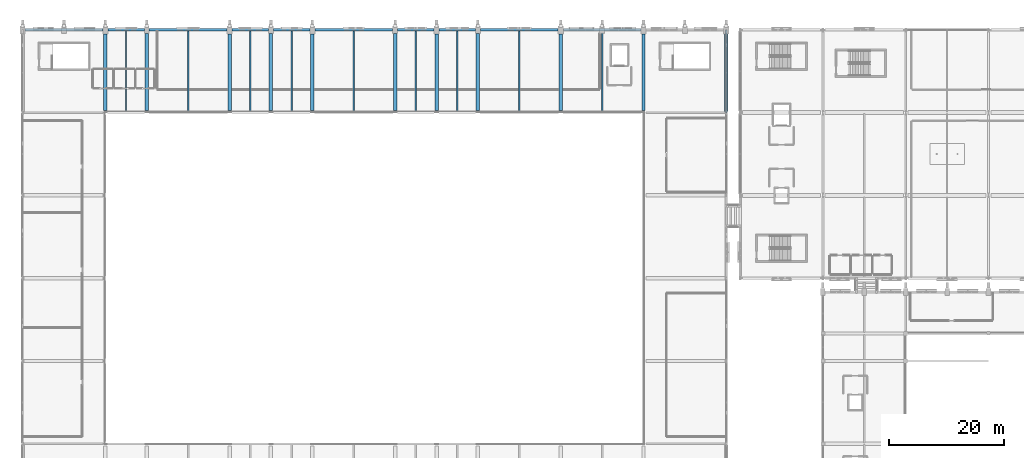
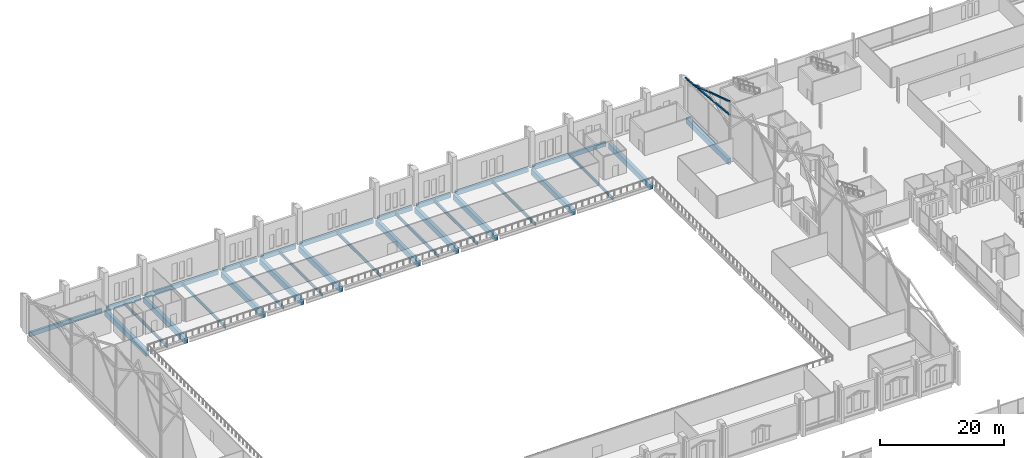
# One storey, part 119 of 220: 30 beams, 2 members.
"""IFC4 building model written with IfcOpenShell, lengths in metres."""

from ifc_helpers import new_model, si_unit, direction, frame, origin, origin_2d, place, context, subcontext, project, spatial, rectangle, hollow_rectangle, i_section, extrude, material, material_profile, profile_set, type_object, element, save


model = new_model("IFC4")

# Units and contexts
model_context = context("Model", 3, precision=1e-05, world=origin(), true_north=direction((0.0, 1.0)))
body_context = subcontext(model_context, "Body", "Model", "MODEL_VIEW")
ifc_project = project(units=[si_unit("LENGTHUNIT", "METRE"), si_unit("AREAUNIT", "SQUARE_METRE"), si_unit("VOLUMEUNIT", "CUBIC_METRE"), si_unit("PLANEANGLEUNIT", "RADIAN"), si_unit("MASSUNIT", "GRAM", prefix="KILO")], contexts=[model_context])

# Site, building, storey
site_placement = place(None, origin())
site = spatial("IfcSite", under=ifc_project, at=site_placement, CompositionType="ELEMENT")
building_placement = place(site_placement, origin())
building = spatial("IfcBuilding", under=site, at=building_placement, Name="Cendralis Lancet Convention Centre", CompositionType="ELEMENT")
storey_placement = place(building_placement, frame((0.0, 0.0, 5.39990234375)))
storey = spatial("IfcBuildingStorey", under=building, at=storey_placement, Name="L01", CompositionType="ELEMENT", Elevation=5.39990234375)

# Beams
ifc_material_1 = material(Name="Concrete G40 (C40/50)", Category="concrete")
ifc_material_profile_1 = material_profile(ifc_material_1, rectangle(XDim=0.60009765625, YDim=1.10009765625, at=origin_2d()), Name="RCB 600x1100")
ifc_profile_set_1 = profile_set([ifc_material_profile_1], Name="Concrete G40 (C40/50)")
beam_type_1 = type_object("IfcBeamType", Name="STR-BM-BG02", PredefinedType="BEAM", material=ifc_profile_set_1)
beam_1_placement = place(storey_placement, frame((14.39990234375, 122.800048828125, -0.829833984375), z_axis=(0.0, 1.0, 0.0), x_axis=(-1.0, 0.0, 0.0)))
element("IfcBeam", 1, at=beam_1_placement, inside=storey, type_object=beam_type_1, Name="L01 Beam BG02 #1257", PredefinedType="BEAM", context=body_context, shape_type="SweptSolid", body=[
    extrude(rectangle(XDim=0.60009765625, YDim=1.10009765625, at=origin_2d()), origin(), (0.0, 0.0, 1.0), 13.300048828125),
])
beam_2_placement = place(storey_placement, frame((21.60009765625, 122.800048828125, -0.829833984375), z_axis=(0.0, 1.0, 0.0), x_axis=(-1.0, 0.0, 0.0)))
element("IfcBeam", 2, at=beam_2_placement, inside=storey, type_object=beam_type_1, Name="L01 Beam BG02 #1258", PredefinedType="BEAM", context=body_context, shape_type="SweptSolid", body=[
    extrude(rectangle(XDim=0.60009765625, YDim=1.10009765625, at=origin_2d()), origin(), (0.0, 0.0, 1.0), 13.349853515625),
])
beam_3_placement = place(storey_placement, frame((36.0, 122.800048828125, -0.829833984375), z_axis=(0.0, 1.0, 0.0), x_axis=(-1.0, 0.0, 0.0)))
element("IfcBeam", 3, at=beam_3_placement, inside=storey, type_object=beam_type_1, Name="L01 Beam BG02 #1259", PredefinedType="BEAM", context=body_context, shape_type="SweptSolid", body=[
    extrude(rectangle(XDim=0.60009765625, YDim=1.10009765625, at=origin_2d()), origin(), (0.0, 0.0, 1.0), 13.300048828125),
])
beam_4_placement = place(storey_placement, frame((43.199951171875, 122.800048828125, -0.829833984375), z_axis=(0.0, 1.0, 0.0), x_axis=(-1.0, 0.0, 0.0)))
element("IfcBeam", 4, at=beam_4_placement, inside=storey, type_object=beam_type_1, Name="L01 Beam BG02 #1260", PredefinedType="BEAM", context=body_context, shape_type="SweptSolid", body=[
    extrude(rectangle(XDim=0.60009765625, YDim=1.10009765625, at=origin_2d()), origin(), (0.0, 0.0, 1.0), 13.349853515625),
])
beam_5_placement = place(storey_placement, frame((50.39990234375, 122.800048828125, -0.829833984375), z_axis=(0.0, 1.0, 0.0), x_axis=(-1.0, 0.0, 0.0)))
element("IfcBeam", 5, at=beam_5_placement, inside=storey, type_object=beam_type_1, Name="L01 Beam BG02 #1261", PredefinedType="BEAM", context=body_context, shape_type="SweptSolid", body=[
    extrude(rectangle(XDim=0.60009765625, YDim=1.10009765625, at=origin_2d()), origin(), (0.0, 0.0, 1.0), 13.300048828125),
])
beam_6_placement = place(storey_placement, frame((64.800048828125, 122.800048828125, -0.829833984375), z_axis=(0.0, 1.0, 0.0), x_axis=(-1.0, 0.0, 0.0)))
element("IfcBeam", 6, at=beam_6_placement, inside=storey, type_object=beam_type_1, Name="L01 Beam BG02 #1262", PredefinedType="BEAM", context=body_context, shape_type="SweptSolid", body=[
    extrude(rectangle(XDim=0.60009765625, YDim=1.10009765625, at=origin_2d()), origin(), (0.0, 0.0, 1.0), 13.349853515625),
])
beam_7_placement = place(storey_placement, frame((72.0, 122.800048828125, -0.829833984375), z_axis=(0.0, 1.0, 0.0), x_axis=(-1.0, 0.0, 0.0)))
element("IfcBeam", 7, at=beam_7_placement, inside=storey, type_object=beam_type_1, Name="L01 Beam BG02 #1263", PredefinedType="BEAM", context=body_context, shape_type="SweptSolid", body=[
    extrude(rectangle(XDim=0.60009765625, YDim=1.10009765625, at=origin_2d()), origin(), (0.0, 0.0, 1.0), 13.300048828125),
])
beam_8_placement = place(storey_placement, frame((79.199951171875, 122.800048828125, -0.829833984375), z_axis=(0.0, 1.0, 0.0), x_axis=(-1.0, 0.0, 0.0)))
element("IfcBeam", 8, at=beam_8_placement, inside=storey, type_object=beam_type_1, Name="L01 Beam BG02 #1264", PredefinedType="BEAM", context=body_context, shape_type="SweptSolid", body=[
    extrude(rectangle(XDim=0.60009765625, YDim=1.10009765625, at=origin_2d()), origin(), (0.0, 0.0, 1.0), 13.349853515625),
])
for number, where, z_axis, x_axis, name in (
    (9, (93.60009765625, 122.800048828125, -0.829833984375), (0.0, 1.0, 0.0), (-1.0, 0.0, 0.0), "L01 Beam BG02 #1265"),
    (10, (108.0, 122.800048828125, -0.829833984375), (0.0, 1.0, 0.0), (-1.0, 0.0, 0.0), "L01 Beam BG02 #1266"),
):
    element("IfcBeam", number, at=place(storey_placement, frame(where, z_axis=z_axis, x_axis=x_axis)), inside=storey, type_object=beam_type_1, Name=name, PredefinedType="BEAM", context=body_context, shape_type="SweptSolid", body=[
        extrude(rectangle(XDim=0.60009765625, YDim=1.10009765625, at=origin_2d()), origin(), (0.0, 0.0, 1.0), 13.300048828125),
    ])
ifc_material_profile_2 = material_profile(ifc_material_1, rectangle(XDim=0.60009765625, YDim=1.10009765625, at=origin_2d()), Name="RCB 600x1100")
ifc_profile_set_2 = profile_set([ifc_material_profile_2], Name="Concrete G40 (C40/50)")
beam_type_2 = type_object("IfcBeamType", Name="STR-BM-BG02-EXT", PredefinedType="BEAM", material=ifc_profile_set_2)
beam_9_placement = place(storey_placement, frame((122.39990234375, 122.577880859375, -0.829833984375), z_axis=(0.0, 1.0, 0.0), x_axis=(-1.0, 0.0, 0.0)))
element("IfcBeam", 11, at=beam_9_placement, inside=storey, type_object=beam_type_2, Name="L01 Beam BG02 #1267", PredefinedType="BEAM", context=body_context, shape_type="SweptSolid", body=[
    extrude(rectangle(XDim=0.60009765625, YDim=1.10009765625, at=origin_2d()), origin(), (0.0, 0.0, 1.0), 13.522216796875),
])

# Members
ifc_material_2 = material(Name="Steel S355", Category="steel")
ifc_material_profile_3 = material_profile(ifc_material_2, hollow_rectangle(XDim=0.25, YDim=0.25, WallThickness=0.012451171875, at=origin_2d()), Name="SHS 250x250x12.5")
ifc_profile_set_3 = profile_set([ifc_material_profile_3], Name="Steel S355")
member_type = type_object("IfcMemberType", Name="STR-BR-GB01", PredefinedType="BRACE", material=ifc_profile_set_3)
member_1_placement = place(storey_placement, frame((122.39990234375, 122.39990234375, 8.425537109375), z_axis=(0.0, 0.995135754966, -0.098513091454), x_axis=(-1.0, 0.0, 0.0)))
element("IfcMember", 12, at=member_1_placement, inside=storey, type_object=member_type, Name="Exhibition Gable Gothic Ogival Tracery Rib GBR1 #058", PredefinedType="BRACE", context=body_context, shape_type="SweptSolid", body=[
    extrude(hollow_rectangle(XDim=0.25, YDim=0.25, WallThickness=0.012451171875, at=origin_2d()), origin(), (0.0, 0.0, 1.0), 14.470458984375),
])
member_2_placement = place(storey_placement, frame((122.39990234375, 133.9833984375, 7.309814453125), z_axis=(0.0, -0.951598160709, 0.307344986189), x_axis=(1.0, 0.0, 0.0)))
element("IfcMember", 13, at=member_2_placement, inside=storey, type_object=member_type, Name="Exhibition Gable Split X-Brace Rib GBR1 #060", PredefinedType="BRACE", context=body_context, shape_type="SweptSolid", body=[
    extrude(hollow_rectangle(XDim=0.25, YDim=0.25, WallThickness=0.012451171875, at=origin_2d()), origin(), (0.0, 0.0, 1.0), 12.172607421875),
])

# Beams
ifc_material_profile_4 = material_profile(ifc_material_2, i_section(OverallWidth=0.219970703125, OverallDepth=0.60009765625, WebThickness=0.011962890625, FlangeThickness=0.01904296875, FilletRadius=0.02392578125, at=origin_2d()), Name="IPE 600")
ifc_profile_set_4 = profile_set([ifc_material_profile_4], Name="Steel S355")
beam_type_3 = type_object("IfcBeamType", Name="STR-JS-BJ04", PredefinedType="JOIST", material=ifc_profile_set_4)
for number, where, z_axis, x_axis, name in (
    (14, (18.0, 122.550048828125, -0.579833984375), (0.0, 1.0, 0.0), (-1.0, 0.0, 0.0), "L01 Beam BJ04 #1268"),
    (15, (28.800048828125, 122.550048828125, -0.579833984375), (0.0, 1.0, 0.0), (-1.0, 0.0, 0.0), "L01 Beam BJ04 #1269"),
    (16, (39.60009765625, 122.550048828125, -0.579833984375), (0.0, 1.0, 0.0), (-1.0, 0.0, 0.0), "L01 Beam BJ04 #1270"),
    (17, (46.800048828125, 122.550048828125, -0.579833984375), (0.0, 1.0, 0.0), (-1.0, 0.0, 0.0), "L01 Beam BJ04 #1271"),
    (18, (57.60009765625, 122.550048828125, -0.579833984375), (0.0, 1.0, 0.0), (-1.0, 0.0, 0.0), "L01 Beam BJ04 #1272"),
    (19, (68.39990234375, 122.550048828125, -0.579833984375), (0.0, 1.0, 0.0), (-1.0, 0.0, 0.0), "L01 Beam BJ04 #1273"),
    (20, (75.60009765625, 122.550048828125, -0.579833984375), (0.0, 1.0, 0.0), (-1.0, 0.0, 0.0), "L01 Beam BJ04 #1274"),
    (21, (86.39990234375, 122.550048828125, -0.579833984375), (0.0, 1.0, 0.0), (-1.0, 0.0, 0.0), "L01 Beam BJ04 #1275"),
    (22, (100.800048828125, 122.550048828125, -0.579833984375), (0.0, 1.0, 0.0), (-1.0, 0.0, 0.0), "L01 Beam BJ04 #1276"),
):
    element("IfcBeam", number, at=place(storey_placement, frame(where, z_axis=z_axis, x_axis=x_axis)), inside=storey, type_object=beam_type_3, Name=name, PredefinedType="JOIST", context=body_context, shape_type="SweptSolid", body=[
        extrude(i_section(OverallWidth=0.219970703125, OverallDepth=0.60009765625, WebThickness=0.011962890625, FlangeThickness=0.01904296875, FilletRadius=0.02392578125, at=origin_2d()), origin(), (0.0, 0.0, 1.0), 14.050048828125),
    ])
ifc_material_profile_5 = material_profile(ifc_material_1, rectangle(XDim=0.39990234375, YDim=0.85009765625, at=origin_2d()), Name="RCB 400x850")
ifc_profile_set_5 = profile_set([ifc_material_profile_5], Name="Concrete G40 (C40/50)")
beam_type_4 = type_object("IfcBeamType", Name="STR-SP-SP02", PredefinedType="SPANDREL", material=ifc_profile_set_5)
beam_10_placement = place(storey_placement, frame((0.449951171875, 136.800048828125, -0.704833984375), z_axis=(1.0, 0.0, 0.0), x_axis=(0.0, 1.0, 0.0)))
element("IfcBeam", 23, at=beam_10_placement, inside=storey, type_object=beam_type_4, Name="L01 Beam SP02 #1234", PredefinedType="SPANDREL", context=body_context, shape_type="SweptSolid", body=[
    extrude(rectangle(XDim=0.39990234375, YDim=0.85009765625, at=origin_2d()), origin(), (0.0, 0.0, 1.0), 13.5),
])
beam_11_placement = place(storey_placement, frame((14.85009765625, 136.800048828125, -0.704833984375), z_axis=(1.0, 0.0, 0.0), x_axis=(0.0, 1.0, 0.0)))
element("IfcBeam", 24, at=beam_11_placement, inside=storey, type_object=beam_type_4, Name="L01 Beam SP02 #1236", PredefinedType="SPANDREL", context=body_context, shape_type="SweptSolid", body=[
    extrude(rectangle(XDim=0.39990234375, YDim=0.85009765625, at=origin_2d()), origin(), (0.0, 0.0, 1.0), 6.324951171875),
])
beam_12_placement = place(storey_placement, frame((22.02490234375, 136.800048828125, -0.704833984375), z_axis=(1.0, 0.0, 0.0), x_axis=(0.0, 1.0, 0.0)))
element("IfcBeam", 25, at=beam_12_placement, inside=storey, type_object=beam_type_4, Name="L01 Beam SP02 #1238", PredefinedType="SPANDREL", context=body_context, shape_type="SweptSolid", body=[
    extrude(rectangle(XDim=0.39990234375, YDim=0.85009765625, at=origin_2d()), origin(), (0.0, 0.0, 1.0), 13.525146484375),
])
for number, where, z_axis, x_axis, name in (
    (26, (36.449951171875, 136.800048828125, -0.704833984375), (1.0, 0.0, 0.0), (0.0, 1.0, 0.0), "L01 Beam SP02 #1240"),
    (27, (43.625, 136.800048828125, -0.704833984375), (1.0, 0.0, 0.0), (0.0, 1.0, 0.0), "L01 Beam SP02 #1242"),
):
    element("IfcBeam", number, at=place(storey_placement, frame(where, z_axis=z_axis, x_axis=x_axis)), inside=storey, type_object=beam_type_4, Name=name, PredefinedType="SPANDREL", context=body_context, shape_type="SweptSolid", body=[
        extrude(rectangle(XDim=0.39990234375, YDim=0.85009765625, at=origin_2d()), origin(), (0.0, 0.0, 1.0), 6.324951171875),
    ])
beam_13_placement = place(storey_placement, frame((50.85009765625, 136.800048828125, -0.704833984375), z_axis=(1.0, 0.0, 0.0), x_axis=(0.0, 1.0, 0.0)))
element("IfcBeam", 28, at=beam_13_placement, inside=storey, type_object=beam_type_4, Name="L01 Beam SP02 #1244", PredefinedType="SPANDREL", context=body_context, shape_type="SweptSolid", body=[
    extrude(rectangle(XDim=0.39990234375, YDim=0.85009765625, at=origin_2d()), origin(), (0.0, 0.0, 1.0), 13.52490234375),
])
for number, where, z_axis, x_axis, name in (
    (29, (65.22509765625, 136.800048828125, -0.704833984375), (1.0, 0.0, 0.0), (0.0, 1.0, 0.0), "L01 Beam SP02 #1246"),
    (30, (72.449951171875, 136.800048828125, -0.704833984375), (1.0, 0.0, 0.0), (0.0, 1.0, 0.0), "L01 Beam SP02 #1248"),
):
    element("IfcBeam", number, at=place(storey_placement, frame(where, z_axis=z_axis, x_axis=x_axis)), inside=storey, type_object=beam_type_4, Name=name, PredefinedType="SPANDREL", context=body_context, shape_type="SweptSolid", body=[
        extrude(rectangle(XDim=0.39990234375, YDim=0.85009765625, at=origin_2d()), origin(), (0.0, 0.0, 1.0), 6.324951171875),
    ])
beam_14_placement = place(storey_placement, frame((79.625, 136.800048828125, -0.704833984375), z_axis=(1.0, 0.0, 0.0), x_axis=(0.0, 1.0, 0.0)))
element("IfcBeam", 31, at=beam_14_placement, inside=storey, type_object=beam_type_4, Name="L01 Beam SP02 #1250", PredefinedType="SPANDREL", context=body_context, shape_type="SweptSolid", body=[
    extrude(rectangle(XDim=0.39990234375, YDim=0.85009765625, at=origin_2d()), origin(), (0.0, 0.0, 1.0), 13.52490234375),
])
beam_15_placement = place(storey_placement, frame((94.050048828125, 136.800048828125, -0.704833984375), z_axis=(1.0, 0.0, 0.0), x_axis=(0.0, 1.0, 0.0)))
element("IfcBeam", 32, at=beam_15_placement, inside=storey, type_object=beam_type_4, Name="L01 Beam SP02 #1252", PredefinedType="SPANDREL", context=body_context, shape_type="SweptSolid", body=[
    extrude(rectangle(XDim=0.39990234375, YDim=0.85009765625, at=origin_2d()), origin(), (0.0, 0.0, 1.0), 13.5),
])

save(model, "model.ifc")
